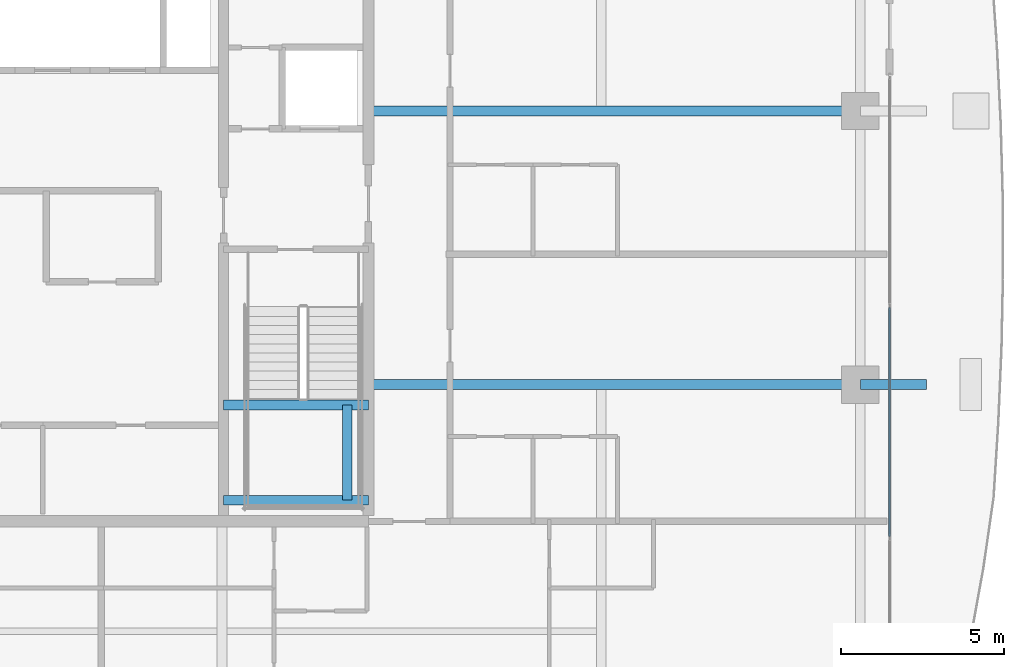
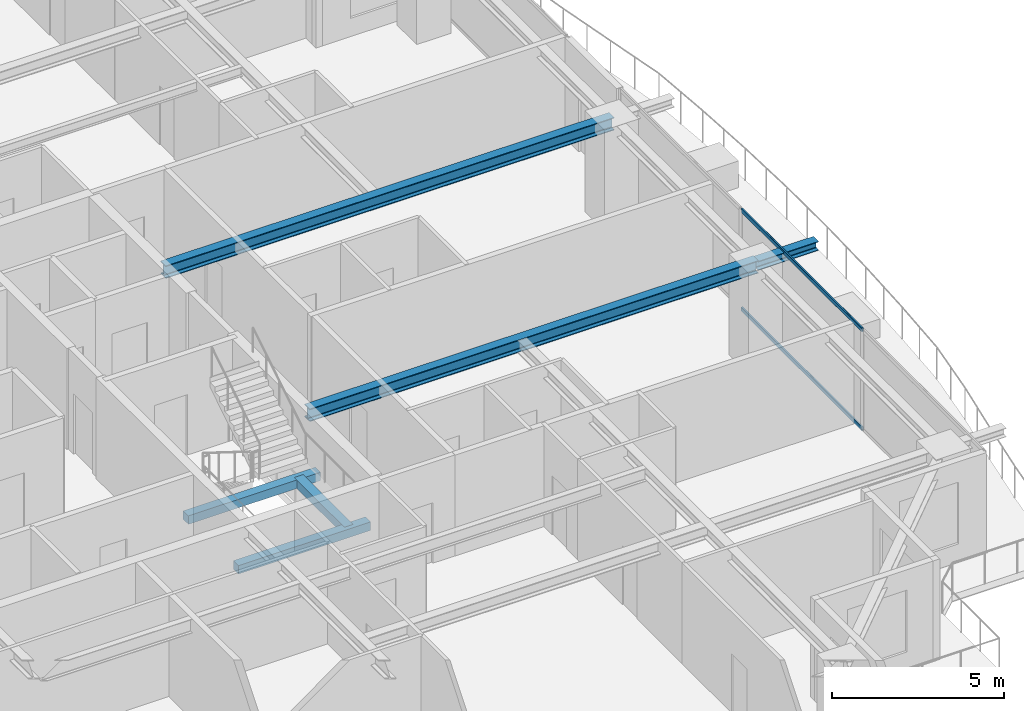
# One storey, part 14 of 37: 6 beams, 2 members, 1 element without a shape of its own.
"""IFC4 building model written with IfcOpenShell, lengths in metres."""

from ifc_helpers import new_model, si_unit, direction, frame, origin, origin_2d, place, context, subcontext, project, spatial, rectangle, hollow_rectangle, i_section, extrude, source, transform, mapped, material, layer, layer_set, material_profile, profile_set, type_object, element, aggregate, save


model = new_model("IFC4")

# Units and contexts
model_context = context("Model", 3, precision=1e-05, world=origin(), true_north=direction((0.0, 1.0)))
body_context = subcontext(model_context, "Body", "Model", "MODEL_VIEW")
ifc_project = project(units=[si_unit("LENGTHUNIT", "METRE"), si_unit("AREAUNIT", "SQUARE_METRE"), si_unit("VOLUMEUNIT", "CUBIC_METRE"), si_unit("PLANEANGLEUNIT", "RADIAN"), si_unit("MASSUNIT", "GRAM", prefix="KILO")], contexts=[model_context])

# Site, building, storey
site_placement = place(None, origin())
site = spatial("IfcSite", under=ifc_project, at=site_placement, CompositionType="ELEMENT")
building_placement = place(site_placement, origin())
building = spatial("IfcBuilding", under=site, at=building_placement, Name="Serunith Strait Residences", CompositionType="ELEMENT")
storey_placement = place(building_placement, frame((0.0, 0.0, 279.75)))
storey = spatial("IfcBuildingStorey", under=building, at=storey_placement, Name="L70", CompositionType="ELEMENT", Elevation=279.75)

# Beams
ifc_material_1 = material(Name="Steel S355J2", Category="steel")
ifc_material_profile_1 = material_profile(ifc_material_1, i_section(OverallWidth=0.300048828125, OverallDepth=0.449951171875, WebThickness=0.013916015625, FlangeThickness=0.02587890625, FilletRadius=0.027099609375, at=origin_2d()), Name="HEB 450")
ifc_profile_set_1 = profile_set([ifc_material_profile_1], Name="Steel S355J2")
beam_type_1 = type_object("IfcBeamType", Name="BM-HEB450", PredefinedType="BEAM", material=ifc_profile_set_1)
shared_shape_1 = source(origin(), body_context, "Body", "SweptSolid", [
    extrude(i_section(OverallWidth=0.300048828125, OverallDepth=0.449951171875, WebThickness=0.013916015625, FlangeThickness=0.02587890625, FilletRadius=0.027099609375, at=origin_2d()), origin(), (0.0, 0.0, 1.0), 15.10009765625),
])
for number, where, z_axis, x_axis, name in (
    (1, (41.39990234375, 21.0, 3.362060546875), (1.0, 0.0, 0.0), (0.0, 1.0, 0.0), "L70 Primary Floor Girder TC-E2"),
    (2, (41.39990234375, 29.39990234375, 3.362060546875), (1.0, 0.0, 0.0), (0.0, 1.0, 0.0), "L70 Primary Floor Girder TC-E3"),
):
    element("IfcBeam", number, at=place(storey_placement, frame(where, z_axis=z_axis, x_axis=x_axis)), inside=storey, type_object=beam_type_1, Name=name, PredefinedType="BEAM", context=body_context, shape_type="MappedRepresentation", body=[
        mapped(shared_shape_1, transform((0.0, 0.0, 0.0), scale=1.0)),
    ])
ifc_material_profile_2 = material_profile(ifc_material_1, i_section(OverallWidth=0.300048828125, OverallDepth=0.320068359375, WebThickness=0.011474609375, FlangeThickness=0.0205078125, FilletRadius=0.027099609375, at=origin_2d()), Name="HEB 320")
ifc_profile_set_2 = profile_set([ifc_material_profile_2], Name="Steel S355J2")
beam_type_2 = type_object("IfcBeamType", Name="BM-HEB320", PredefinedType="BEAM", material=ifc_profile_set_2)
shared_shape_2 = source(origin(), body_context, "Body", "SweptSolid", [
    extrude(i_section(OverallWidth=0.300048828125, OverallDepth=0.320068359375, WebThickness=0.011474609375, FlangeThickness=0.0205078125, FilletRadius=0.027099609375, at=origin_2d()), origin(), (0.0, 0.0, 1.0), 2.030029296875),
])
beam_1_placement = place(storey_placement, frame((56.5, 21.0, 3.39697265625), z_axis=(1.0, 0.0, 0.0), x_axis=(0.0, 1.0, 0.0)))
element("IfcBeam", 3, at=beam_1_placement, inside=storey, type_object=beam_type_2, Name="L71 Cantilevered Balcony Rib TC-E2", PredefinedType="BEAM", context=body_context, shape_type="MappedRepresentation", body=[
    mapped(shared_shape_2, transform((0.0, 0.0, 0.0), scale=1.0)),
])
ifc_material_2 = material(Name="Concrete C60/75", Category="concrete")
ifc_material_profile_3 = material_profile(ifc_material_2, rectangle(XDim=0.300048828125, YDim=0.300048828125, at=origin_2d()), Name="RC 300x300")
ifc_profile_set_3 = profile_set([ifc_material_profile_3], Name="Concrete C60/75")
beam_type_3 = type_object("IfcBeamType", Name="BM-LAND-300x300", PredefinedType="BEAM", material=ifc_profile_set_3)
shared_shape_3 = source(origin(), body_context, "Body", "SweptSolid", [
    extrude(rectangle(XDim=0.300048828125, YDim=0.300048828125, at=origin_2d()), origin(), (0.0, 0.0, 1.0), 4.449951171875),
])
for number, where, z_axis, x_axis, name in (
    (4, (36.949951171875, 17.449951171875, 1.574951171875), (1.0, 0.0, 0.0), (0.0, 1.0, 0.0), "L70 ST-2 Landing Support Beam 1"),
    (5, (36.949951171875, 20.3701171875, 1.574951171875), (1.0, 0.0, 0.0), (0.0, 1.0, 0.0), "L70 ST-2 Landing Support Beam 2"),
):
    element("IfcBeam", number, at=place(storey_placement, frame(where, z_axis=z_axis, x_axis=x_axis)), inside=storey, type_object=beam_type_3, Name=name, PredefinedType="BEAM", context=body_context, shape_type="MappedRepresentation", body=[
        mapped(shared_shape_3, transform((0.0, 0.0, 0.0), scale=1.0)),
    ])
shared_shape_4 = source(origin(), body_context, "Body", "SweptSolid", [
    extrude(rectangle(XDim=0.300048828125, YDim=0.300048828125, at=origin_2d()), origin(), (0.0, 0.0, 1.0), 2.920166015625),
])
beam_2_placement = place(storey_placement, frame((40.75, 17.449951171875, 1.574951171875), z_axis=(0.0, 1.0, 0.0), x_axis=(-1.0, 0.0, 0.0)))
element("IfcBeam", 6, at=beam_2_placement, inside=storey, type_object=beam_type_3, Name="L70 ST-2 Landing Transverse Tie Beam", PredefinedType="BEAM", context=body_context, shape_type="MappedRepresentation", body=[
    mapped(shared_shape_4, transform((0.0, 0.0, 0.0), scale=1.0)),
])

# Curtain wall, members
ifc_material_3 = material(Name="Pale-Champagne Anodised Aluminium", Category="aluminium")
ifc_layer = layer(ifc_material_3, 0.199951171875, Name="Pale-Champagne Anodised Aluminium")
ifc_layer_set = layer_set([ifc_layer], Name="Pale-Champagne Anodised Aluminium")
curtain_wall_type = type_object("IfcCurtainWallType", Name="CW-SYS4", PredefinedType="NOTDEFINED", material=ifc_layer_set)
curtain_wall_placement = place(storey_placement, origin())
curtain_wall = element("IfcCurtainWall", 7, at=curtain_wall_placement, inside=storey, type_object=curtain_wall_type, Name="L70 E Unitised Fritted Curtain Wall", PredefinedType="NOTDEFINED")
ifc_material_profile_4 = material_profile(ifc_material_3, hollow_rectangle(XDim=0.06005859375, YDim=0.139892578125, WallThickness=0.00341796875, InnerFilletRadius=0.00537109375, OuterFilletRadius=0.0087890625, at=origin_2d()), Name="ALU 140x60x3.5")
ifc_profile_set_4 = profile_set([ifc_material_profile_4], Name="Pale-Champagne Anodised Aluminium")
member_type = type_object("IfcMemberType", Name="CW-SYS4-TRAN", PredefinedType="USERDEFINED", material=ifc_profile_set_4)
shared_shape_5 = source(origin(), body_context, "Body", "SweptSolid", [
    extrude(hollow_rectangle(XDim=0.06005859375, YDim=0.139892578125, WallThickness=0.00341796875, InnerFilletRadius=0.00537109375, OuterFilletRadius=0.0087890625, at=origin_2d()), origin(), (0.0, 0.0, 1.0), 7.034912109375),
])
member_1_placement = place(storey_placement, frame((57.39990234375, 16.33251953125, 0.030029296875), z_axis=(0.0, 1.0, 0.0), x_axis=(-1.0, 0.0, 0.0)))
member_1 = element("IfcMember", 8, at=member_1_placement, type_object=member_type, Name="CW-4 transom 2.1", ObjectType="TRANSOM", PredefinedType="USERDEFINED", context=body_context, shape_type="MappedRepresentation", body=[
    mapped(shared_shape_5, transform((0.0, 0.0, 0.0), scale=1.0)),
])
member_2_placement = place(storey_placement, frame((57.39990234375, 16.33251953125, 3.544921875), z_axis=(0.0, 1.0, 0.0), x_axis=(-1.0, 0.0, 0.0)))
member_2 = element("IfcMember", 9, at=member_2_placement, type_object=member_type, Name="CW-4 transom 2.2", ObjectType="TRANSOM", PredefinedType="USERDEFINED", context=body_context, shape_type="MappedRepresentation", body=[
    mapped(shared_shape_5, transform((0.0, 0.0, 0.0), scale=1.0)),
])
aggregate(curtain_wall, [member_1, member_2])

save(model, "model.ifc")
